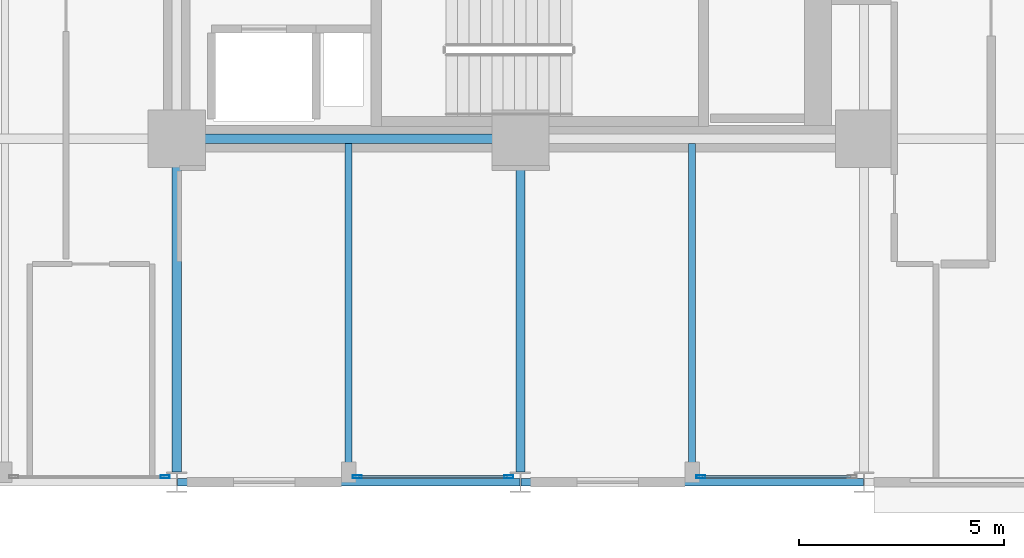
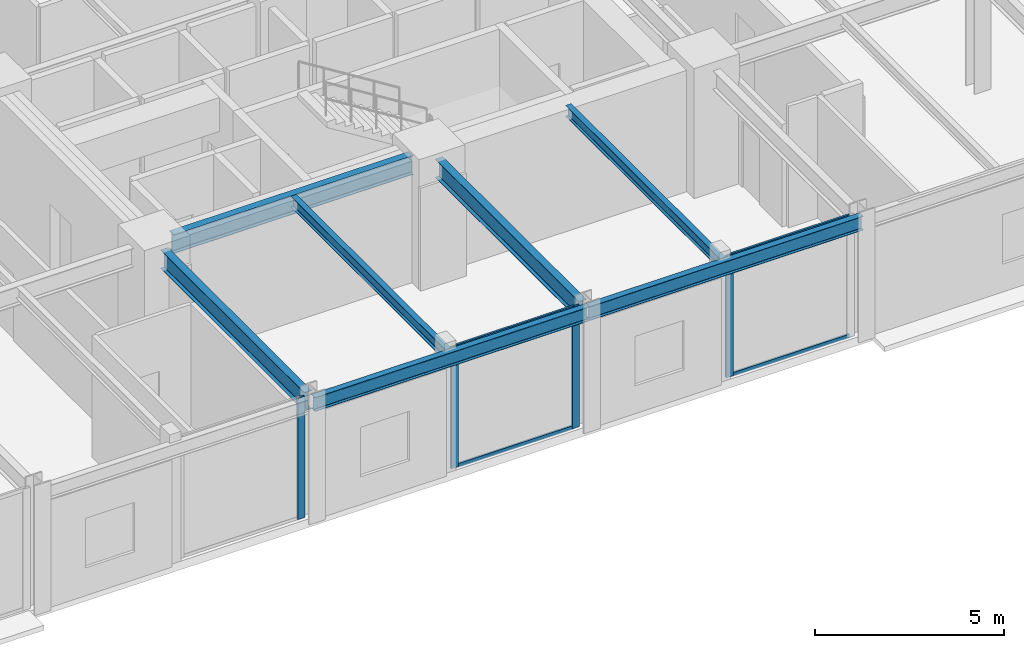
# One storey, part 4 of 25: 8 members, 7 beams, 3 elements without a shape of their own.
"""IFC4 building model written with IfcOpenShell, lengths in metres."""

import ifcopenshell
import ifcopenshell.guid

model = None  # the IFC model being written
_history = None  # IfcOwnerHistory: only IFC2X3 demands one
_inside = {}  # id of a spatial element -> (the spatial element, [elements in it])
_under = {}  # id of a project, library or spatial element -> (it, [spatial elements below it])
_declared = {}  # id of a project -> (the project, [libraries it declares])
_typed = {}  # id of a type object -> (the type object, [elements of that type])
_made_of = {}  # id of a material, layer set ... -> (it, [elements and type objects made of it])


def new_model(schema):
    """Start an empty IFC model of exactly this schema.

    Asked for "IFC4X3", IfcOpenShell would pick the latest addendum, in which some entities
    have other attributes; the version numbers below select the first issue.
    IFC2X3 requires an IfcOwnerHistory on every rooted entity: one is made here for all.
    """
    global model, _history
    if schema == "IFC4X3":
        model = ifcopenshell.file(schema_version=(4, 3, 0, 0))
    else:
        model = ifcopenshell.file(schema=schema)
    _inside.clear()
    _under.clear()
    _declared.clear()
    _typed.clear()
    _made_of.clear()
    _history = None
    if model.schema == "IFC2X3":
        org = make("IfcOrganization", Name="unknown")
        user = make(
            "IfcPersonAndOrganization",
            ThePerson=make("IfcPerson", FamilyName="unknown"),
            TheOrganization=org,
        )
        app = make(
            "IfcApplication",
            ApplicationDeveloper=org,
            Version="unknown",
            ApplicationFullName="unknown",
            ApplicationIdentifier="unknown",
        )
        _history = make(
            "IfcOwnerHistory",
            OwningUser=user,
            OwningApplication=app,
            ChangeAction="ADDED",
            CreationDate=0,
        )
    return model


def make(cls, **values):
    """One entity of the class cls with the attributes given. An attribute that is None is left unset."""
    return model.create_entity(
        cls, **{name: value for name, value in values.items() if value is not None}
    )


def rooted(cls, **values):
    """An entity with a GlobalId (a new one), such as an element, a storey or a relation."""
    return make(cls, GlobalId=ifcopenshell.guid.new(), OwnerHistory=_history, **values)


def si_unit(unit_type, name, prefix=None):
    """IfcSIUnit, for example si_unit("LENGTHUNIT", "METRE", prefix="MILLI")."""
    return make("IfcSIUnit", UnitType=unit_type, Prefix=prefix, Name=name)


def assignment(units):
    """IfcUnitAssignment: the units of a project."""
    return None if units is None else make("IfcUnitAssignment", Units=units)


def point(xyz):
    """IfcCartesianPoint."""
    return None if xyz is None else make("IfcCartesianPoint", Coordinates=xyz)


def direction(xyz):
    """IfcDirection."""
    return None if xyz is None else make("IfcDirection", DirectionRatios=xyz)


def frame(location, z_axis=None, x_axis=None):
    """IfcAxis2Placement3D, a coordinate frame: its origin and axes. An axis left out is left unset."""
    return make(
        "IfcAxis2Placement3D",
        Location=point(location),
        Axis=direction(z_axis),
        RefDirection=direction(x_axis),
    )


def frame_2d(location, x_axis=None):
    """IfcAxis2Placement2D, a coordinate frame in the plane: its origin and x axis."""
    return make(
        "IfcAxis2Placement2D", Location=point(location), RefDirection=direction(x_axis)
    )


def origin():
    """The frame at (0, 0, 0) with its axes left unset."""
    return frame((0.0, 0.0, 0.0))


def origin_2d():
    """The frame at (0, 0) in the plane with its x axis left unset."""
    return frame_2d((0.0, 0.0))


def place(relative_to, where):
    """IfcLocalPlacement: puts the frame where relative to a parent placement (None: the world)."""
    return make(
        "IfcLocalPlacement", PlacementRelTo=relative_to, RelativePlacement=where
    )


def context(
    kind, dimensions, precision=None, world=None, true_north=None, identifier=None
):
    """IfcGeometricRepresentationContext, for example the 3D "Model" context."""
    return make(
        "IfcGeometricRepresentationContext",
        ContextIdentifier=identifier,
        ContextType=kind,
        CoordinateSpaceDimension=dimensions,
        Precision=precision,
        WorldCoordinateSystem=world,
        TrueNorth=true_north,
    )


def subcontext(parent, identifier, kind, view, scale=None):
    """IfcGeometricRepresentationSubContext, for example "Body" below "Model"."""
    return make(
        "IfcGeometricRepresentationSubContext",
        ContextIdentifier=identifier,
        ContextType=kind,
        ParentContext=parent,
        TargetScale=scale,
        TargetView=view,
    )


def project(units=None, contexts=None):
    """IfcProject with its units and contexts."""
    return rooted(
        "IfcProject",
        Name="project",
        RepresentationContexts=contexts,
        UnitsInContext=assignment(units),
    )


def spatial(cls, under=None, at=None, **own):
    """A site, building, storey or space (cls), placed at a placement, below another one or the project."""
    s = rooted(cls, ObjectPlacement=at, **own)
    if under is not None:
        _under.setdefault(under.id(), (under, []))[1].append(s)
    return s


def profile(cls, at=None, kind="AREA", **sizes):
    """A parametric profile (cls). Its sizes go by their IFC names, for example OverallWidth=200.0."""
    return make(cls, ProfileType=kind, Position=at, **sizes)


def hollow_rectangle(**sizes):
    """IfcRectangleHollowProfileDef."""
    return profile("IfcRectangleHollowProfileDef", **sizes)


def i_section(**sizes):
    """IfcIShapeProfileDef."""
    return profile("IfcIShapeProfileDef", **sizes)


def extrude(swept, where, along, depth):
    """IfcExtrudedAreaSolid: the profile swept, set in the frame where, extruded along a direction by depth."""
    return make(
        "IfcExtrudedAreaSolid",
        SweptArea=swept,
        Position=where,
        ExtrudedDirection=direction(along),
        Depth=depth,
    )


def shape(context_of_items, identifier, shape_type, items):
    """IfcShapeRepresentation: the items that make up one representation, for example the "Body"."""
    return make(
        "IfcShapeRepresentation",
        ContextOfItems=context_of_items,
        RepresentationIdentifier=identifier,
        RepresentationType=shape_type,
        Items=items,
    )


def material(Name=None, Category=None):
    """IfcMaterial."""
    return make("IfcMaterial", Name=Name, Category=Category)


def layer(
    of_material, thickness, ventilated=None, Name=None, Category=None, Priority=None
):
    """IfcMaterialLayer: one layer of a wall or slab, of a material (None: an air gap)."""
    return make(
        "IfcMaterialLayer",
        Material=of_material,
        LayerThickness=thickness,
        IsVentilated=ventilated,
        Name=Name,
        Category=Category,
        Priority=Priority,
    )


def layer_set(layers, Name=None):
    """IfcMaterialLayerSet."""
    return make("IfcMaterialLayerSet", MaterialLayers=layers, LayerSetName=Name)


def material_profile(
    of_material, cross_section, Name=None, Category=None, Priority=None
):
    """IfcMaterialProfile: a cross section and its material."""
    return make(
        "IfcMaterialProfile",
        Name=Name,
        Material=of_material,
        Profile=cross_section,
        Priority=Priority,
        Category=Category,
    )


def profile_set(profiles, Name=None, composite=None):
    """IfcMaterialProfileSet."""
    return make(
        "IfcMaterialProfileSet",
        Name=Name,
        MaterialProfiles=profiles,
        CompositeProfile=composite,
    )


def made_of(thing, what):
    """Note that an element or type object is made of a material, layer set ...; save() writes the relation."""
    if what is not None:
        _made_of.setdefault(what.id(), (what, []))[1].append(thing)
    return thing


def type_object(cls, material=None, **own):
    """A type object (cls), such as IfcWallType, which elements share."""
    return made_of(rooted(cls, **own), material)


def element(
    cls,
    number,
    at=None,
    inside=None,
    cuts=None,
    type_object=None,
    material=None,
    context=None,
    identifier="Body",
    shape_type=None,
    held_by="IfcProductDefinitionShape",
    body=None,
    shapes=None,
    **own,
):
    """One element of the class cls, such as IfcWall. Its Tag is "e" and its number.

    at: its placement. inside: the storey or other place that contains it. cuts: it is an
    opening in that element (IfcRelVoidsElement). A single representation is given by context,
    identifier, shape_type and body (its items); several are given by shapes. held_by: the class
    of the entity that holds the representations. save() writes the other relations.
    """
    e = rooted(cls, Tag="e%d" % number, ObjectPlacement=at, **own)
    if body is not None:
        shapes = [shape(context, identifier, shape_type, body)]
    if shapes is not None:
        e.Representation = make(held_by, Representations=shapes)
    if inside is not None:
        _inside.setdefault(inside.id(), (inside, []))[1].append(e)
    if cuts is not None:
        rooted(
            "IfcRelVoidsElement", RelatingBuildingElement=cuts, RelatedOpeningElement=e
        )
    if type_object is not None:
        _typed.setdefault(type_object.id(), (type_object, []))[1].append(e)
    return made_of(e, material)


def aggregate(whole, parts):
    """IfcRelAggregates: a whole, such as a stair, and the parts it consists of."""
    return rooted("IfcRelAggregates", RelatingObject=whole, RelatedObjects=parts)


def save(model, path):
    """Write the relations noted so far, then the file.

    IfcRelAggregates (storeys below a building ...), IfcRelContainedInSpatialStructure (elements
    in a storey), IfcRelDefinesByType, IfcRelAssociatesMaterial and IfcRelDeclares: one each for
    every whole, place, type object, material and project.
    """
    for whole, parts in _under.values():
        aggregate(whole, parts)
    for where, things in _inside.values():
        rooted(
            "IfcRelContainedInSpatialStructure",
            RelatedElements=things,
            RelatingStructure=where,
        )
    for kind, things in _typed.values():
        rooted("IfcRelDefinesByType", RelatedObjects=things, RelatingType=kind)
    for what, things in _made_of.values():
        rooted("IfcRelAssociatesMaterial", RelatedObjects=things, RelatingMaterial=what)
    for by, libraries in _declared.values():
        rooted("IfcRelDeclares", RelatingContext=by, RelatedDefinitions=libraries)
    model.write(path)


model = new_model("IFC4")

# Units and contexts
model_context = context("Model", 3, precision=1e-05, world=origin(), true_north=direction((0.0, 1.0)))
body_context = subcontext(model_context, "Body", "Model", "MODEL_VIEW")
ifc_project = project(units=[si_unit("LENGTHUNIT", "METRE"), si_unit("AREAUNIT", "SQUARE_METRE"), si_unit("VOLUMEUNIT", "CUBIC_METRE"), si_unit("PLANEANGLEUNIT", "RADIAN"), si_unit("MASSUNIT", "GRAM", prefix="KILO")], contexts=[model_context])

# Site, building, storey
site_placement = place(None, origin())
site = spatial("IfcSite", under=ifc_project, at=site_placement, CompositionType="ELEMENT")
building_placement = place(site_placement, origin())
building = spatial("IfcBuilding", under=site, at=building_placement, Name="Nerrivon Quay Data Exchange", CompositionType="ELEMENT")
storey_placement = place(building_placement, frame((0.0, 0.0, 24.800048828125)))
storey = spatial("IfcBuildingStorey", under=building, at=storey_placement, Name="L05", CompositionType="ELEMENT", Elevation=24.800048828125)

# Beams
ifc_material_1 = material(Name="Steel Grade 350", Category="steel")
ifc_material_profile_1 = material_profile(ifc_material_1, i_section(OverallWidth=0.22900390625, OverallDepth=0.612060546875, WebThickness=0.011962890625, FlangeThickness=0.01953125, FilletRadius=0.013916015625, at=origin_2d()), Name="610UB125")
ifc_profile_set_1 = profile_set([ifc_material_profile_1], Name="Steel Grade 350")
beam_type_1 = type_object("IfcBeamType", Name="BM-G1-610UB125", PredefinedType="BEAM", material=ifc_profile_set_1)
beam_1_placement = place(storey_placement, frame((17.340087890625, 8.39990234375, 3.618896484375), z_axis=(1.0, 0.0, 0.0), x_axis=(0.0, 1.0, 0.0)))
element("IfcBeam", 1, at=beam_1_placement, inside=storey, type_object=beam_type_1, Name="L05 EW Girder Y=8.4 (16.8..25.2)", PredefinedType="BEAM", context=body_context, shape_type="SweptSolid", body=[
    extrude(i_section(OverallWidth=0.22900390625, OverallDepth=0.612060546875, WebThickness=0.011962890625, FlangeThickness=0.01953125, FilletRadius=0.013916015625, at=origin_2d()), origin(), (0.0, 0.0, 1.0), 7.31982421875),
])
ifc_material_profile_2 = material_profile(ifc_material_1, i_section(OverallWidth=0.22802734375, OverallDepth=0.60205078125, WebThickness=0.010498046875, FlangeThickness=0.014892578125, FilletRadius=0.013916015625, at=origin_2d()), Name="610UB101")
ifc_profile_set_2 = profile_set([ifc_material_profile_2], Name="Steel Grade 350")
beam_type_2 = type_object("IfcBeamType", Name="BM-G2-610UB101", PredefinedType="BEAM", material=ifc_profile_set_2)
for number, where, z_axis, x_axis, name in (
    (2, (16.800048828125, 0.25, 3.6240234375), (0.0, 1.0, 0.0), (-1.0, 0.0, 0.0), "L05 NS Girder X=16.8 (0.0..8.4)"),
    (3, (25.199951171875, 0.25, 3.6240234375), (0.0, 1.0, 0.0), (-1.0, 0.0, 0.0), "L05 NS Girder X=25.2 (0.0..8.4)"),
):
    element("IfcBeam", number, at=place(storey_placement, frame(where, z_axis=z_axis, x_axis=x_axis)), inside=storey, type_object=beam_type_2, Name=name, PredefinedType="BEAM", context=body_context, shape_type="SweptSolid", body=[
        extrude(i_section(OverallWidth=0.22802734375, OverallDepth=0.60205078125, WebThickness=0.010498046875, FlangeThickness=0.014892578125, FilletRadius=0.013916015625, at=origin_2d()), origin(), (0.0, 0.0, 1.0), 7.610107421875),
    ])
ifc_material_profile_3 = material_profile(ifc_material_1, i_section(OverallWidth=0.172119140625, OverallDepth=0.35888671875, WebThickness=0.008056640625, FlangeThickness=0.012939453125, FilletRadius=0.011474609375, at=origin_2d()), Name="360UB56.7")
ifc_profile_set_3 = profile_set([ifc_material_profile_3], Name="Steel Grade 350")
beam_type_3 = type_object("IfcBeamType", Name="BM-J3-360UB57", PredefinedType="JOIST", material=ifc_profile_set_3)
for number, where, z_axis, x_axis, name in (
    (4, (21.0, 0.094970703125, 3.745361328125), (0.0, 1.0, 0.0), (-1.0, 0.0, 0.0), "L05 Secondary Joist X=21.0 (0.0..8.4)"),
    (5, (29.39990234375, 0.094970703125, 3.745361328125), (0.0, 1.0, 0.0), (-1.0, 0.0, 0.0), "L05 Secondary Joist X=29.4 (0.0..8.4)"),
):
    element("IfcBeam", number, at=place(storey_placement, frame(where, z_axis=z_axis, x_axis=x_axis)), inside=storey, type_object=beam_type_3, Name=name, PredefinedType="JOIST", context=body_context, shape_type="SweptSolid", body=[
        extrude(i_section(OverallWidth=0.172119140625, OverallDepth=0.35888671875, WebThickness=0.008056640625, FlangeThickness=0.012939453125, FilletRadius=0.011474609375, at=origin_2d()), origin(), (0.0, 0.0, 1.0), 8.1904296875),
    ])
ifc_material_profile_4 = material_profile(ifc_material_1, i_section(OverallWidth=0.18994140625, OverallDepth=0.4541015625, WebThickness=0.008544921875, FlangeThickness=0.0126953125, FilletRadius=0.011474609375, at=origin_2d()), Name="460UB67.1")
ifc_profile_set_4 = profile_set([ifc_material_profile_4], Name="Steel Grade 350")
beam_type_4 = type_object("IfcBeamType", Name="BM-SP1-460UB67", PredefinedType="SPANDREL", material=ifc_profile_set_4)
beam_2_placement = place(storey_placement, frame((16.81396484375, 0.0, 3.697998046875), z_axis=(1.0, 0.0, 0.0), x_axis=(0.0, 1.0, 0.0)))
element("IfcBeam", 6, at=beam_2_placement, inside=storey, type_object=beam_type_4, Name="L05 EW Girder Y=0.0 (16.8..25.2)", PredefinedType="SPANDREL", context=body_context, shape_type="SweptSolid", body=[
    extrude(i_section(OverallWidth=0.18994140625, OverallDepth=0.4541015625, WebThickness=0.008544921875, FlangeThickness=0.0126953125, FilletRadius=0.011474609375, at=origin_2d()), origin(), (0.0, 0.0, 1.0), 8.3720703125),
])
beam_3_placement = place(storey_placement, frame((25.214111328125, 0.0, 3.697998046875), z_axis=(1.0, 0.0, 0.0), x_axis=(0.0, 1.0, 0.0)))
element("IfcBeam", 7, at=beam_3_placement, inside=storey, type_object=beam_type_4, Name="L05 EW Girder Y=0.0 (25.2..33.6)", PredefinedType="SPANDREL", context=body_context, shape_type="SweptSolid", body=[
    extrude(i_section(OverallWidth=0.18994140625, OverallDepth=0.4541015625, WebThickness=0.008544921875, FlangeThickness=0.0126953125, FilletRadius=0.011474609375, at=origin_2d()), origin(), (0.0, 0.0, 1.0), 8.371826171875),
])

# Curtain wall, member
ifc_material_2 = material(Name="Anodised aluminium 6063-T6", Category="aluminium")
ifc_layer = layer(ifc_material_2, 0.219970703125)
ifc_layer_set = layer_set([ifc_layer], Name="Anodised aluminium 6063-T6")
curtain_wall_type = type_object("IfcCurtainWallType", Name="CW-SYS-01", PredefinedType="NOTDEFINED", material=ifc_layer_set)
curtain_wall_1_placement = place(storey_placement, origin())
curtain_wall_1 = element("IfcCurtainWall", 8, at=curtain_wall_1_placement, inside=storey, type_object=curtain_wall_type, Name="L05 Unitised Curtain Wall 4", PredefinedType="NOTDEFINED")
ifc_material_profile_5 = material_profile(ifc_material_2, hollow_rectangle(XDim=0.074951171875, YDim=0.219970703125, WallThickness=0.00390625, at=origin_2d()), Name="ALU-MULL-220x75")
ifc_profile_set_5 = profile_set([ifc_material_profile_5], Name="Anodised aluminium 6063-T6")
member_type_1 = type_object("IfcMemberType", Name="CWM-220x75", PredefinedType="MULLION", material=ifc_profile_set_5)
member_1_placement = place(storey_placement, frame((29.612548828125, 0.139892578125, 0.0), z_axis=(0.0, 0.0, 1.0), x_axis=(0.0, -1.0, 0.0)))
member_1 = element("IfcMember", 9, at=member_1_placement, type_object=member_type_1, Name="CW01 mullion 2", PredefinedType="MULLION", context=body_context, shape_type="SweptSolid", body=[
    extrude(hollow_rectangle(XDim=0.074951171875, YDim=0.219970703125, WallThickness=0.00390625, at=origin_2d()), origin(), (0.0, 0.0, 1.0), 3.925048828125),
])

# Curtain wall, members
curtain_wall_2_placement = place(storey_placement, origin())
curtain_wall_2 = element("IfcCurtainWall", 10, at=curtain_wall_2_placement, inside=storey, type_object=curtain_wall_type, Name="L05 Unitised Curtain Wall 6", PredefinedType="NOTDEFINED")
member_2_placement = place(storey_placement, frame((24.91259765625, 0.139892578125, 0.0), z_axis=(0.0, 0.0, 1.0), x_axis=(0.0, -1.0, 0.0)))
member_2 = element("IfcMember", 11, at=member_2_placement, type_object=member_type_1, Name="CW01 mullion 1", PredefinedType="MULLION", context=body_context, shape_type="SweptSolid", body=[
    extrude(hollow_rectangle(XDim=0.074951171875, YDim=0.219970703125, WallThickness=0.00390625, at=origin_2d()), origin(), (0.0, 0.0, 1.0), 3.925048828125),
])
member_3_placement = place(storey_placement, frame((21.21240234375, 0.139892578125, 0.0), z_axis=(0.0, 0.0, 1.0), x_axis=(0.0, -1.0, 0.0)))
member_3 = element("IfcMember", 12, at=member_3_placement, type_object=member_type_1, Name="CW01 mullion 2", PredefinedType="MULLION", context=body_context, shape_type="SweptSolid", body=[
    extrude(hollow_rectangle(XDim=0.074951171875, YDim=0.219970703125, WallThickness=0.00390625, at=origin_2d()), origin(), (0.0, 0.0, 1.0), 3.925048828125),
])

# Curtain wall, member
curtain_wall_3_placement = place(storey_placement, origin())
curtain_wall_3 = element("IfcCurtainWall", 13, at=curtain_wall_3_placement, inside=storey, type_object=curtain_wall_type, Name="L05 Unitised Curtain Wall 8", PredefinedType="NOTDEFINED")
member_4_placement = place(storey_placement, frame((16.512451171875, 0.139892578125, 0.0), z_axis=(0.0, 0.0, 1.0), x_axis=(0.0, -1.0, 0.0)))
member_4 = element("IfcMember", 14, at=member_4_placement, type_object=member_type_1, Name="CW01 mullion 1", PredefinedType="MULLION", context=body_context, shape_type="SweptSolid", body=[
    extrude(hollow_rectangle(XDim=0.074951171875, YDim=0.219970703125, WallThickness=0.00390625, at=origin_2d()), origin(), (0.0, 0.0, 1.0), 3.925048828125),
])
aggregate(curtain_wall_3, [member_4])

# Member
ifc_material_profile_6 = material_profile(ifc_material_2, hollow_rectangle(XDim=0.06005859375, YDim=0.1201171875, WallThickness=0.003173828125, at=origin_2d()), Name="ALU-TRAN-120x60")
ifc_profile_set_6 = profile_set([ifc_material_profile_6], Name="Anodised aluminium 6063-T6")
member_type_2 = type_object("IfcMemberType", Name="CWT-120x60", PredefinedType="USERDEFINED", material=ifc_profile_set_6)
member_5_placement = place(storey_placement, frame((33.27490234375, 0.139892578125, 0.032470703125), z_axis=(-1.0, 0.0, 0.0), x_axis=(0.0, -1.0, 0.0)))
member_5 = element("IfcMember", 15, at=member_5_placement, type_object=member_type_2, Name="CW01 transom 1.1", ObjectType="TRANSOM", PredefinedType="USERDEFINED", context=body_context, shape_type="SweptSolid", body=[
    extrude(hollow_rectangle(XDim=0.06005859375, YDim=0.1201171875, WallThickness=0.003173828125, at=origin_2d()), origin(), (0.0, 0.0, 1.0), 3.625),
])

member_6_placement = place(storey_placement, frame((33.27490234375, 0.139892578125, 3.892333984375), z_axis=(-1.0, 0.0, 0.0), x_axis=(0.0, -1.0, 0.0)))
member_6 = element("IfcMember", 16, at=member_6_placement, type_object=member_type_2, Name="CW01 transom 1.2", ObjectType="TRANSOM", PredefinedType="USERDEFINED", context=body_context, shape_type="SweptSolid", body=[
    extrude(hollow_rectangle(XDim=0.06005859375, YDim=0.1201171875, WallThickness=0.003173828125, at=origin_2d()), origin(), (0.0, 0.0, 1.0), 3.625),
])

aggregate(curtain_wall_1, [member_1, member_5, member_6])

member_7_placement = place(storey_placement, frame((24.875, 0.139892578125, 0.032470703125), z_axis=(-1.0, 0.0, 0.0), x_axis=(0.0, -1.0, 0.0)))
member_7 = element("IfcMember", 17, at=member_7_placement, type_object=member_type_2, Name="CW01 transom 1.1", ObjectType="TRANSOM", PredefinedType="USERDEFINED", context=body_context, shape_type="SweptSolid", body=[
    extrude(hollow_rectangle(XDim=0.06005859375, YDim=0.1201171875, WallThickness=0.003173828125, at=origin_2d()), origin(), (0.0, 0.0, 1.0), 3.625),
])

member_8_placement = place(storey_placement, frame((24.875, 0.139892578125, 3.892333984375), z_axis=(-1.0, 0.0, 0.0), x_axis=(0.0, -1.0, 0.0)))
member_8 = element("IfcMember", 18, at=member_8_placement, type_object=member_type_2, Name="CW01 transom 1.2", ObjectType="TRANSOM", PredefinedType="USERDEFINED", context=body_context, shape_type="SweptSolid", body=[
    extrude(hollow_rectangle(XDim=0.06005859375, YDim=0.1201171875, WallThickness=0.003173828125, at=origin_2d()), origin(), (0.0, 0.0, 1.0), 3.625),
])

aggregate(curtain_wall_2, [member_2, member_3, member_7, member_8])

save(model, "model.ifc")
